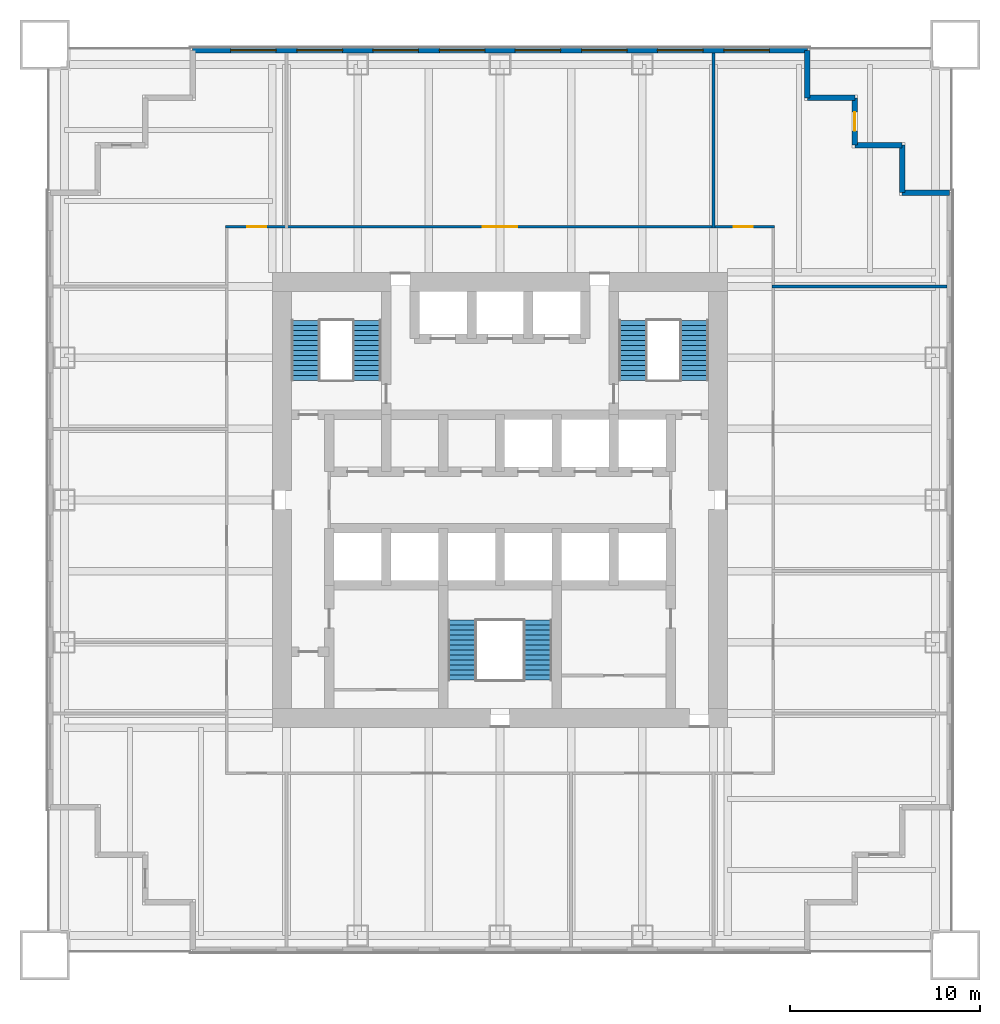
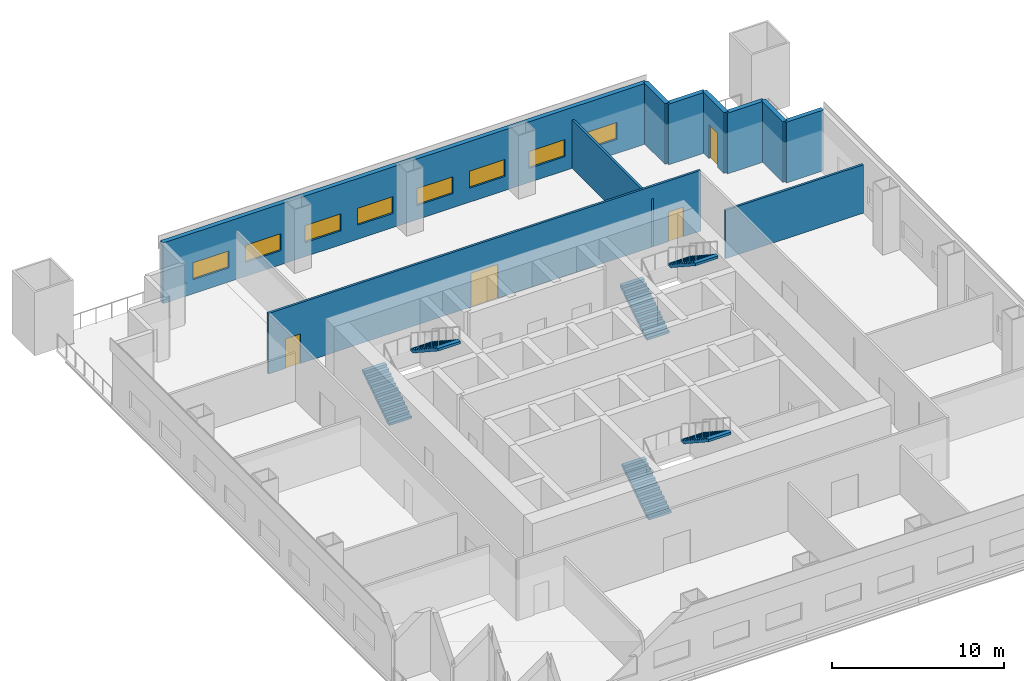
# One storey, part 5 of 6: 10 walls, 8 windows, 6 stair flights, 4 doors, 12 openings, 3 elements without a shape of their own.
"""IFC4 building model written with IfcOpenShell, lengths in metres."""

from ifc_helpers import new_model, si_unit, direction, frame, frame_2d, origin, place, context, subcontext, project, spatial, polyline, rectangle, outline, extrude, material, layer, layer_set, type_object, element, fill, aggregate, save


model = new_model("IFC4")

# Units and contexts
model_context = context("Model", 3, precision=1e-05, world=origin(), true_north=direction((0.0, 1.0)))
body_context = subcontext(model_context, "Body", "Model", "MODEL_VIEW")
ifc_project = project(units=[si_unit("LENGTHUNIT", "METRE"), si_unit("AREAUNIT", "SQUARE_METRE"), si_unit("VOLUMEUNIT", "CUBIC_METRE"), si_unit("PLANEANGLEUNIT", "RADIAN"), si_unit("MASSUNIT", "GRAM", prefix="KILO")], contexts=[model_context])

# Site, building, storey
site_placement = place(None, origin())
site = spatial("IfcSite", under=ifc_project, at=site_placement, CompositionType="ELEMENT")
building_placement = place(site_placement, origin())
building = spatial("IfcBuilding", under=site, at=building_placement, Name="Tarangal Relay Tower", CompositionType="ELEMENT")
storey_placement = place(building_placement, frame((0.0, 0.0, 140.39990234375)))
storey = spatial("IfcBuildingStorey", under=building, at=storey_placement, Name="L28", CompositionType="ELEMENT", Elevation=140.39990234375)

# Wall, openings, windows
ifc_material_1 = material(Name="Insulated precast concrete fc' 40 MPa", Category="concrete")
ifc_layer_1 = layer(ifc_material_1, 0.300048828125)
ifc_layer_set_1 = layer_set([ifc_layer_1], Name="Insulated precast concrete fc' 40 MPa")
wall_type_1 = type_object("IfcWallType", Name="Facade wall precast 300", PredefinedType="SOLIDWALL", material=ifc_layer_set_1)
wall_1_placement = place(storey_placement, frame((-16.199951171875, 23.699951171875, 0.0), z_axis=(0.0, 0.0, 1.0), x_axis=(1.0, 0.0, 0.0)))
wall_1 = element("IfcWall", 1, at=wall_1_placement, inside=storey, type_object=wall_type_1, Name="Facade wall N facade L28", PredefinedType="SOLIDWALL", context=body_context, shape_type="SweptSolid", body=[
    extrude(rectangle(XDim=32.39990234375, YDim=0.300048828125, at=frame_2d((16.199951171875, 0.0))), origin(), (0.0, 0.0, 1.0), 4.300048828125),
])
opening_1_placement = place(wall_1_placement, frame((2.0, 0.0, 1.0)))
opening_1 = element("IfcOpeningElement", 2, at=opening_1_placement, cuts=wall_1, Name="Opening WN1", PredefinedType="OPENING", context=body_context, shape_type="SweptSolid", body=[
    extrude(rectangle(XDim=2.39990234375, YDim=1.199951171875, at=frame_2d((1.199951171875, 0.60009765625))), frame((0.0, 0.159912109375, 0.0), z_axis=(0.0, -1.0, 0.0), x_axis=(1.0, 0.0, 0.0)), (0.0, 0.0, 1.0), 0.320068359375),
])
opening_2_placement = place(wall_1_placement, frame((5.5, 0.0, 1.0)))
opening_2 = element("IfcOpeningElement", 3, at=opening_2_placement, cuts=wall_1, Name="Opening WN1", PredefinedType="OPENING", context=body_context, shape_type="SweptSolid", body=[
    extrude(rectangle(XDim=2.39990234375, YDim=1.199951171875, at=frame_2d((1.199951171875, 0.60009765625))), frame((0.0, 0.159912109375, 0.0), z_axis=(0.0, -1.0, 0.0), x_axis=(1.0, 0.0, 0.0)), (0.0, 0.0, 1.0), 0.320068359375),
])
opening_3_placement = place(wall_1_placement, frame((9.5, 0.0, 1.0)))
opening_3 = element("IfcOpeningElement", 4, at=opening_3_placement, cuts=wall_1, Name="Opening WN1", PredefinedType="OPENING", context=body_context, shape_type="SweptSolid", body=[
    extrude(rectangle(XDim=2.39990234375, YDim=1.199951171875, at=frame_2d((1.199951171875, 0.60009765625))), frame((0.0, 0.159912109375, 0.0), z_axis=(0.0, -1.0, 0.0), x_axis=(1.0, 0.0, 0.0)), (0.0, 0.0, 1.0), 0.320068359375),
])
opening_4_placement = place(wall_1_placement, frame((13.0, 0.0, 1.0)))
opening_4 = element("IfcOpeningElement", 5, at=opening_4_placement, cuts=wall_1, Name="Opening WN1", PredefinedType="OPENING", context=body_context, shape_type="SweptSolid", body=[
    extrude(rectangle(XDim=2.39990234375, YDim=1.199951171875, at=frame_2d((1.199951171875, 0.60009765625))), frame((0.0, 0.159912109375, 0.0), z_axis=(0.0, -1.0, 0.0), x_axis=(1.0, 0.0, 0.0)), (0.0, 0.0, 1.0), 0.320068359375),
])
opening_5_placement = place(wall_1_placement, frame((17.0, 0.0, 1.0)))
opening_5 = element("IfcOpeningElement", 6, at=opening_5_placement, cuts=wall_1, Name="Opening WN1", PredefinedType="OPENING", context=body_context, shape_type="SweptSolid", body=[
    extrude(rectangle(XDim=2.39990234375, YDim=1.199951171875, at=frame_2d((1.199951171875, 0.60009765625))), frame((0.0, 0.159912109375, 0.0), z_axis=(0.0, -1.0, 0.0), x_axis=(1.0, 0.0, 0.0)), (0.0, 0.0, 1.0), 0.320068359375),
])
opening_6_placement = place(wall_1_placement, frame((20.5, 0.0, 1.0)))
opening_6 = element("IfcOpeningElement", 7, at=opening_6_placement, cuts=wall_1, Name="Opening WN1", PredefinedType="OPENING", context=body_context, shape_type="SweptSolid", body=[
    extrude(rectangle(XDim=2.39990234375, YDim=1.199951171875, at=frame_2d((1.199951171875, 0.60009765625))), frame((0.0, 0.159912109375, 0.0), z_axis=(0.0, -1.0, 0.0), x_axis=(1.0, 0.0, 0.0)), (0.0, 0.0, 1.0), 0.320068359375),
])
opening_7_placement = place(wall_1_placement, frame((24.5, 0.0, 1.0)))
opening_7 = element("IfcOpeningElement", 8, at=opening_7_placement, cuts=wall_1, Name="Opening WN1", PredefinedType="OPENING", context=body_context, shape_type="SweptSolid", body=[
    extrude(rectangle(XDim=2.39990234375, YDim=1.199951171875, at=frame_2d((1.199951171875, 0.60009765625))), frame((0.0, 0.159912109375, 0.0), z_axis=(0.0, -1.0, 0.0), x_axis=(1.0, 0.0, 0.0)), (0.0, 0.0, 1.0), 0.320068359375),
])
opening_8_placement = place(wall_1_placement, frame((28.0, 0.0, 1.0)))
opening_8 = element("IfcOpeningElement", 9, at=opening_8_placement, cuts=wall_1, Name="Opening WN1", PredefinedType="OPENING", context=body_context, shape_type="SweptSolid", body=[
    extrude(rectangle(XDim=2.39990234375, YDim=1.199951171875, at=frame_2d((1.199951171875, 0.60009765625))), frame((0.0, 0.159912109375, 0.0), z_axis=(0.0, -1.0, 0.0), x_axis=(1.0, 0.0, 0.0)), (0.0, 0.0, 1.0), 0.320068359375),
])
ifc_material_2 = material(Name="Dark tinted double glazing in black aluminium frame", Category="aluminium")
window_type = type_object("IfcWindowType", Name="Ribbon window 2400 x 1200", PartitioningType="SINGLE_PANEL", PredefinedType="WINDOW", material=ifc_material_2)
window_1_placement = place(opening_1_placement, origin())
window_1 = element("IfcWindow", 10, at=window_1_placement, inside=storey, type_object=window_type, Name="Ribbon window WN1 N facade L28", OverallHeight=1.199951171875, OverallWidth=2.39990234375, PartitioningType="SINGLE_PANEL", PredefinedType="WINDOW", context=body_context, shape_type="SweptSolid", body=[
    extrude(rectangle(XDim=2.39990234375, YDim=1.199951171875, at=frame_2d((1.199951171875, 0.60009765625))), frame((0.0, 0.030029296875, 0.0), z_axis=(0.0, -1.0, 0.0), x_axis=(1.0, 0.0, 0.0)), (0.0, 0.0, 1.0), 0.06005859375),
])
fill(opening_1, window_1)
window_2_placement = place(opening_2_placement, origin())
window_2 = element("IfcWindow", 11, at=window_2_placement, inside=storey, type_object=window_type, Name="Ribbon window WN1 N facade L28", OverallHeight=1.199951171875, OverallWidth=2.39990234375, PartitioningType="SINGLE_PANEL", PredefinedType="WINDOW", context=body_context, shape_type="SweptSolid", body=[
    extrude(rectangle(XDim=2.39990234375, YDim=1.199951171875, at=frame_2d((1.199951171875, 0.60009765625))), frame((0.0, 0.030029296875, 0.0), z_axis=(0.0, -1.0, 0.0), x_axis=(1.0, 0.0, 0.0)), (0.0, 0.0, 1.0), 0.06005859375),
])
fill(opening_2, window_2)
window_3_placement = place(opening_3_placement, origin())
window_3 = element("IfcWindow", 12, at=window_3_placement, inside=storey, type_object=window_type, Name="Ribbon window WN1 N facade L28", OverallHeight=1.199951171875, OverallWidth=2.39990234375, PartitioningType="SINGLE_PANEL", PredefinedType="WINDOW", context=body_context, shape_type="SweptSolid", body=[
    extrude(rectangle(XDim=2.39990234375, YDim=1.199951171875, at=frame_2d((1.199951171875, 0.60009765625))), frame((0.0, 0.030029296875, 0.0), z_axis=(0.0, -1.0, 0.0), x_axis=(1.0, 0.0, 0.0)), (0.0, 0.0, 1.0), 0.06005859375),
])
fill(opening_3, window_3)
window_4_placement = place(opening_4_placement, origin())
window_4 = element("IfcWindow", 13, at=window_4_placement, inside=storey, type_object=window_type, Name="Ribbon window WN1 N facade L28", OverallHeight=1.199951171875, OverallWidth=2.39990234375, PartitioningType="SINGLE_PANEL", PredefinedType="WINDOW", context=body_context, shape_type="SweptSolid", body=[
    extrude(rectangle(XDim=2.39990234375, YDim=1.199951171875, at=frame_2d((1.199951171875, 0.60009765625))), frame((0.0, 0.030029296875, 0.0), z_axis=(0.0, -1.0, 0.0), x_axis=(1.0, 0.0, 0.0)), (0.0, 0.0, 1.0), 0.06005859375),
])
fill(opening_4, window_4)
window_5_placement = place(opening_5_placement, origin())
window_5 = element("IfcWindow", 14, at=window_5_placement, inside=storey, type_object=window_type, Name="Ribbon window WN1 N facade L28", OverallHeight=1.199951171875, OverallWidth=2.39990234375, PartitioningType="SINGLE_PANEL", PredefinedType="WINDOW", context=body_context, shape_type="SweptSolid", body=[
    extrude(rectangle(XDim=2.39990234375, YDim=1.199951171875, at=frame_2d((1.199951171875, 0.60009765625))), frame((0.0, 0.030029296875, 0.0), z_axis=(0.0, -1.0, 0.0), x_axis=(1.0, 0.0, 0.0)), (0.0, 0.0, 1.0), 0.06005859375),
])
fill(opening_5, window_5)
window_6_placement = place(opening_6_placement, origin())
window_6 = element("IfcWindow", 15, at=window_6_placement, inside=storey, type_object=window_type, Name="Ribbon window WN1 N facade L28", OverallHeight=1.199951171875, OverallWidth=2.39990234375, PartitioningType="SINGLE_PANEL", PredefinedType="WINDOW", context=body_context, shape_type="SweptSolid", body=[
    extrude(rectangle(XDim=2.39990234375, YDim=1.199951171875, at=frame_2d((1.199951171875, 0.60009765625))), frame((0.0, 0.030029296875, 0.0), z_axis=(0.0, -1.0, 0.0), x_axis=(1.0, 0.0, 0.0)), (0.0, 0.0, 1.0), 0.06005859375),
])
fill(opening_6, window_6)
window_7_placement = place(opening_7_placement, origin())
window_7 = element("IfcWindow", 16, at=window_7_placement, inside=storey, type_object=window_type, Name="Ribbon window WN1 N facade L28", OverallHeight=1.199951171875, OverallWidth=2.39990234375, PartitioningType="SINGLE_PANEL", PredefinedType="WINDOW", context=body_context, shape_type="SweptSolid", body=[
    extrude(rectangle(XDim=2.39990234375, YDim=1.199951171875, at=frame_2d((1.199951171875, 0.60009765625))), frame((0.0, 0.030029296875, 0.0), z_axis=(0.0, -1.0, 0.0), x_axis=(1.0, 0.0, 0.0)), (0.0, 0.0, 1.0), 0.06005859375),
])
fill(opening_7, window_7)
window_8_placement = place(opening_8_placement, origin())
window_8 = element("IfcWindow", 17, at=window_8_placement, inside=storey, type_object=window_type, Name="Ribbon window WN1 N facade L28", OverallHeight=1.199951171875, OverallWidth=2.39990234375, PartitioningType="SINGLE_PANEL", PredefinedType="WINDOW", context=body_context, shape_type="SweptSolid", body=[
    extrude(rectangle(XDim=2.39990234375, YDim=1.199951171875, at=frame_2d((1.199951171875, 0.60009765625))), frame((0.0, 0.030029296875, 0.0), z_axis=(0.0, -1.0, 0.0), x_axis=(1.0, 0.0, 0.0)), (0.0, 0.0, 1.0), 0.06005859375),
])
fill(opening_8, window_8)

# Walls
for number, where, z_axis, x_axis, name in (
    (18, (16.199951171875, 23.699951171875, 0.0), (0.0, 0.0, 1.0), (0.0, -1.0, 0.0), "Facade wall N facade L28"),
    (19, (16.199951171875, 21.199951171875, 0.0), (0.0, 0.0, 1.0), (1.0, 0.0, 0.0), "Facade wall N facade L28"),
):
    element("IfcWall", number, at=place(storey_placement, frame(where, z_axis=z_axis, x_axis=x_axis)), inside=storey, type_object=wall_type_1, Name=name, PredefinedType="SOLIDWALL", context=body_context, shape_type="SweptSolid", body=[
        extrude(rectangle(XDim=2.5, YDim=0.300048828125, at=frame_2d((1.25, 0.0))), origin(), (0.0, 0.0, 1.0), 4.300048828125),
    ])

# Wall, opening, door
wall_2_placement = place(storey_placement, frame((18.699951171875, 21.199951171875, 0.0), z_axis=(0.0, 0.0, 1.0), x_axis=(0.0, -1.0, 0.0)))
wall_2 = element("IfcWall", 20, at=wall_2_placement, inside=storey, type_object=wall_type_1, Name="Facade wall N facade L28", PredefinedType="SOLIDWALL", context=body_context, shape_type="SweptSolid", body=[
    extrude(rectangle(XDim=2.5, YDim=0.300048828125, at=frame_2d((1.25, 0.0))), origin(), (0.0, 0.0, 1.0), 4.300048828125),
])
opening_9_placement = place(wall_2_placement, frame((0.75, 0.0, 0.0)))
opening_9 = element("IfcOpeningElement", 21, at=opening_9_placement, cuts=wall_2, Name="Opening TD1", PredefinedType="OPENING", context=body_context, shape_type="SweptSolid", body=[
    extrude(rectangle(XDim=1.0, YDim=2.39990234375, at=frame_2d((0.5, 1.199951171875))), frame((0.0, 0.159912109375, 0.0), z_axis=(0.0, -1.0, 0.0), x_axis=(1.0, 0.0, 0.0)), (0.0, 0.0, 1.0), 0.320068359375),
])
ifc_material_3 = material(Name="Aluminium glazed door", Category="aluminium")
door_type_1 = type_object("IfcDoorType", Name="Terrace door 1000 x 2400", OperationType="SINGLE_SWING_RIGHT", PredefinedType="DOOR", material=ifc_material_3)
door_1_placement = place(opening_9_placement, origin())
door_1 = element("IfcDoor", 22, at=door_1_placement, inside=storey, type_object=door_type_1, Name="Terrace door TD1 NE L28", OperationType="SINGLE_SWING_RIGHT", OverallHeight=2.39990234375, OverallWidth=1.0, PredefinedType="DOOR", context=body_context, shape_type="SweptSolid", body=[
    extrude(rectangle(XDim=1.0, YDim=2.39990234375, at=frame_2d((0.5, 1.199951171875))), frame((0.0, 0.02490234375, 0.0), z_axis=(0.0, -1.0, 0.0), x_axis=(1.0, 0.0, 0.0)), (0.0, 0.0, 1.0), 0.050048828125),
])
fill(opening_9, door_1)

# Walls
for number, where, z_axis, x_axis, name in (
    (23, (18.699951171875, 18.699951171875, 0.0), (0.0, 0.0, 1.0), (1.0, 0.0, 0.0), "Facade wall N facade L28"),
    (24, (21.199951171875, 18.699951171875, 0.0), (0.0, 0.0, 1.0), (0.0, -1.0, 0.0), "Facade wall N facade L28"),
    (25, (21.199951171875, 16.199951171875, 0.0), (0.0, 0.0, 1.0), (1.0, 0.0, 0.0), "Facade wall N facade L28"),
):
    element("IfcWall", number, at=place(storey_placement, frame(where, z_axis=z_axis, x_axis=x_axis)), inside=storey, type_object=wall_type_1, Name=name, PredefinedType="SOLIDWALL", context=body_context, shape_type="SweptSolid", body=[
        extrude(rectangle(XDim=2.5, YDim=0.300048828125, at=frame_2d((1.25, 0.0))), origin(), (0.0, 0.0, 1.0), 4.300048828125),
    ])
ifc_material_4 = material(Name="Gypsum board on steel studs", Category="steel")
ifc_layer_2 = layer(ifc_material_4, 0.14990234375)
ifc_layer_set_2 = layer_set([ifc_layer_2], Name="Partition 150")
wall_type_2 = type_object("IfcWallType", Name="Partition 150", PredefinedType="PARTITIONING", material=ifc_layer_set_2)
wall_3_placement = place(storey_placement, frame((14.324951171875, 11.25, 0.0), z_axis=(0.0, 0.0, 1.0), x_axis=(1.0, 0.0, 0.0)))
element("IfcWall", 26, at=wall_3_placement, inside=storey, type_object=wall_type_2, Name="Partition PT1 L28", PredefinedType="PARTITIONING", context=body_context, shape_type="SweptSolid", body=[
    extrude(rectangle(XDim=9.22509765625, YDim=0.14990234375, at=frame_2d((4.612548828125, 0.0))), origin(), (0.0, 0.0, 1.0), 3.431396484375),
])

# Wall, openings, doors
wall_4_placement = place(storey_placement, frame((-14.47509765625, 14.39990234375, 0.0), z_axis=(0.0, 0.0, 1.0), x_axis=(1.0, 0.0, 0.0)))
wall_4 = element("IfcWall", 27, at=wall_4_placement, inside=storey, type_object=wall_type_2, Name="Partition PT1 L28", PredefinedType="PARTITIONING", context=body_context, shape_type="SweptSolid", body=[
    extrude(rectangle(XDim=28.9501953125, YDim=0.14990234375, at=frame_2d((14.47509765625, 0.0))), origin(), (0.0, 0.0, 1.0), 4.300048828125),
])
opening_10_placement = place(wall_4_placement, frame((13.574951171875, 0.0, 0.0)))
opening_10 = element("IfcOpeningElement", 28, at=opening_10_placement, cuts=wall_4, Name="Opening DD1", PredefinedType="OPENING", context=body_context, shape_type="SweptSolid", body=[
    extrude(rectangle(XDim=1.800048828125, YDim=2.39990234375, at=frame_2d((0.89990234375, 1.199951171875))), frame((0.0, 0.0849609375, 0.0), z_axis=(0.0, -1.0, 0.0), x_axis=(1.0, 0.0, 0.0)), (0.0, 0.0, 1.0), 0.169921875),
])
opening_11_placement = place(wall_4_placement, frame((26.800048828125, 0.0, 0.0)))
opening_11 = element("IfcOpeningElement", 29, at=opening_11_placement, cuts=wall_4, Name="Opening D2", PredefinedType="OPENING", context=body_context, shape_type="SweptSolid", body=[
    extrude(rectangle(XDim=1.0, YDim=2.10009765625, at=frame_2d((0.5, 1.050048828125))), frame((0.0, 0.0849609375, 0.0), z_axis=(0.0, -1.0, 0.0), x_axis=(1.0, 0.0, 0.0)), (0.0, 0.0, 1.0), 0.169921875),
])
opening_12_placement = place(wall_4_placement, frame((1.14990234375, 0.0, 0.0)))
opening_12 = element("IfcOpeningElement", 30, at=opening_12_placement, cuts=wall_4, Name="Opening D2", PredefinedType="OPENING", context=body_context, shape_type="SweptSolid", body=[
    extrude(rectangle(XDim=1.0, YDim=2.10009765625, at=frame_2d((0.5, 1.050048828125))), frame((0.0, 0.0849609375, 0.0), z_axis=(0.0, -1.0, 0.0), x_axis=(1.0, 0.0, 0.0)), (0.0, 0.0, 1.0), 0.169921875),
])
ifc_material_5 = material(Name="Hardwood door", Category="wood")
door_type_2 = type_object("IfcDoorType", Name="Door 1000 x 2100", OperationType="SINGLE_SWING_LEFT", PredefinedType="DOOR", material=ifc_material_5)
door_2_placement = place(opening_11_placement, origin())
door_2 = element("IfcDoor", 31, at=door_2_placement, inside=storey, type_object=door_type_2, Name="Door D2 to test lab L28-10", OperationType="SINGLE_SWING_LEFT", OverallHeight=2.10009765625, OverallWidth=1.0, PredefinedType="DOOR", context=body_context, shape_type="SweptSolid", body=[
    extrude(rectangle(XDim=1.0, YDim=2.10009765625, at=frame_2d((0.5, 1.050048828125))), frame((0.0, 0.02490234375, 0.0), z_axis=(0.0, -1.0, 0.0), x_axis=(1.0, 0.0, 0.0)), (0.0, 0.0, 1.0), 0.050048828125),
])
fill(opening_11, door_2)
door_3_placement = place(opening_12_placement, origin())
door_3 = element("IfcDoor", 32, at=door_3_placement, inside=storey, type_object=door_type_2, Name="Door D2 to rack staging room L28-13", OperationType="SINGLE_SWING_LEFT", OverallHeight=2.10009765625, OverallWidth=1.0, PredefinedType="DOOR", context=body_context, shape_type="SweptSolid", body=[
    extrude(rectangle(XDim=1.0, YDim=2.10009765625, at=frame_2d((0.5, 1.050048828125))), frame((0.0, 0.02490234375, 0.0), z_axis=(0.0, -1.0, 0.0), x_axis=(1.0, 0.0, 0.0)), (0.0, 0.0, 1.0), 0.050048828125),
])
fill(opening_12, door_3)
ifc_material_6 = material(Name="Steel door with hardwood frame", Category="steel")
door_type_3 = type_object("IfcDoorType", Name="Equipment double door 1800 x 2400", OperationType="DOUBLE_DOOR_SINGLE_SWING", PredefinedType="DOOR", material=ifc_material_6)
door_4_placement = place(opening_10_placement, origin())
door_4 = element("IfcDoor", 33, at=door_4_placement, inside=storey, type_object=door_type_3, Name="Door DD1 to telecom equipment room L28-02", OperationType="DOUBLE_DOOR_SINGLE_SWING", OverallHeight=2.39990234375, OverallWidth=1.800048828125, PredefinedType="DOOR", context=body_context, shape_type="SweptSolid", body=[
    extrude(rectangle(XDim=1.800048828125, YDim=2.39990234375, at=frame_2d((0.89990234375, 1.199951171875))), frame((0.0, 0.02490234375, 0.0), z_axis=(0.0, -1.0, 0.0), x_axis=(1.0, 0.0, 0.0)), (0.0, 0.0, 1.0), 0.050048828125),
])
fill(opening_10, door_4)

# Wall
wall_5_placement = place(storey_placement, frame((11.25, 14.324951171875, 0.0), z_axis=(0.0, 0.0, 1.0), x_axis=(0.0, 1.0, 0.0)))
element("IfcWall", 34, at=wall_5_placement, inside=storey, type_object=wall_type_2, Name="Partition PT1 L28", PredefinedType="PARTITIONING", context=body_context, shape_type="SweptSolid", body=[
    extrude(rectangle(XDim=9.22509765625, YDim=0.14990234375, at=frame_2d((4.612548828125, 0.0))), origin(), (0.0, 0.0, 1.0), 3.431396484375),
])

# Stair, stair flights
ifc_material_7 = material(Name="Steel ASTM A992 stair flight", Category="steel")
stair_type = type_object("IfcStairType", Name="Core stair 1500", PredefinedType="HALF_TURN_STAIR", material=ifc_material_7)
stair_1_placement = place(storey_placement, origin())
stair_1 = element("IfcStair", 35, at=stair_1_placement, inside=storey, type_object=stair_type, Name="Stair ST-A L28", PredefinedType="HALF_TURN_STAIR")
stair_flight_type = type_object("IfcStairFlightType", Name="Steel stair flight 1500, 13 risers 173 x 264", PredefinedType="STRAIGHT", material=ifc_material_7)
stair_flight_1_placement = place(storey_placement, frame((-10.25, 6.300048828125, 0.0), z_axis=(0.0, 0.0, 1.0), x_axis=(0.0, 1.0, 0.0)))
stair_flight_1 = element("IfcStairFlight", 36, at=stair_flight_1_placement, type_object=stair_flight_type, Name="ST-A flight 1", NumberOfRisers=13, NumberOfTreads=12, PredefinedType="STRAIGHT", RiserHeight=0.173076923, TreadLength=0.264, context=body_context, shape_type="SweptSolid", body=[
    extrude(outline(polyline([(0.0, 0.0), (0.0, 0.173095703125), (0.263916015625, 0.173095703125), (0.263916015625, 0.34619140625), (0.528076171875, 0.34619140625), (0.528076171875, 0.519287109375), (0.7919921875, 0.519287109375), (0.7919921875, 0.6923828125), (1.055908203125, 0.6923828125), (1.055908203125, 0.865478515625), (1.320068359375, 0.865478515625), (1.320068359375, 1.03857421875), (1.583984375, 1.03857421875), (1.583984375, 1.21142578125), (1.847900390625, 1.21142578125), (1.847900390625, 1.384521484375), (2.112060546875, 1.384521484375), (2.112060546875, 1.5576171875), (2.3759765625, 1.5576171875), (2.3759765625, 1.730712890625), (2.639892578125, 1.730712890625), (2.639892578125, 1.90380859375), (2.904052734375, 1.90380859375), (2.904052734375, 2.076904296875), (3.16796875, 2.076904296875), (3.16796875, 2.25), (3.16796875, 1.897705078125), (0.2734375, 0.0), (0.0, 0.0)])), frame((0.0, 0.75, 0.0), z_axis=(0.0, -1.0, 0.0), x_axis=(1.0, 0.0, 0.0)), (0.0, 0.0, 1.0), 1.5),
])
stair_flight_2_placement = place(storey_placement, frame((-7.0, 9.468017578125, 2.25), z_axis=(0.0, 0.0, 1.0), x_axis=(0.0, -1.0, 0.0)))
stair_flight_2 = element("IfcStairFlight", 37, at=stair_flight_2_placement, type_object=stair_flight_type, Name="ST-A flight 2", NumberOfRisers=13, NumberOfTreads=12, PredefinedType="STRAIGHT", RiserHeight=0.173076923, TreadLength=0.264, context=body_context, shape_type="SweptSolid", body=[
    extrude(outline(polyline([(0.0, 0.0), (0.0, 0.173095703125), (0.263916015625, 0.173095703125), (0.263916015625, 0.34619140625), (0.528076171875, 0.34619140625), (0.528076171875, 0.519287109375), (0.7919921875, 0.519287109375), (0.7919921875, 0.6923828125), (1.055908203125, 0.6923828125), (1.055908203125, 0.865478515625), (1.320068359375, 0.865478515625), (1.320068359375, 1.03857421875), (1.583984375, 1.03857421875), (1.583984375, 1.21142578125), (1.847900390625, 1.21142578125), (1.847900390625, 1.384521484375), (2.112060546875, 1.384521484375), (2.112060546875, 1.5576171875), (2.3759765625, 1.5576171875), (2.3759765625, 1.730712890625), (2.639892578125, 1.730712890625), (2.639892578125, 1.90380859375), (2.904052734375, 1.90380859375), (2.904052734375, 2.076904296875), (3.16796875, 2.076904296875), (3.16796875, 2.25), (3.16796875, 1.897705078125), (0.2734375, 0.0), (0.0, 0.0)])), frame((0.0, 0.75, 0.0), z_axis=(0.0, -1.0, 0.0), x_axis=(1.0, 0.0, 0.0)), (0.0, 0.0, 1.0), 1.5),
])
aggregate(stair_1, [stair_flight_1, stair_flight_2])

stair_2_placement = place(storey_placement, origin())
stair_2 = element("IfcStair", 38, at=stair_2_placement, inside=storey, type_object=stair_type, Name="Stair ST-B L28", PredefinedType="HALF_TURN_STAIR")
stair_flight_3_placement = place(storey_placement, frame((7.0, 6.300048828125, 0.0), z_axis=(0.0, 0.0, 1.0), x_axis=(0.0, 1.0, 0.0)))
stair_flight_3 = element("IfcStairFlight", 39, at=stair_flight_3_placement, type_object=stair_flight_type, Name="ST-B flight 1", NumberOfRisers=13, NumberOfTreads=12, PredefinedType="STRAIGHT", RiserHeight=0.173076923, TreadLength=0.264, context=body_context, shape_type="SweptSolid", body=[
    extrude(outline(polyline([(0.0, 0.0), (0.0, 0.173095703125), (0.263916015625, 0.173095703125), (0.263916015625, 0.34619140625), (0.528076171875, 0.34619140625), (0.528076171875, 0.519287109375), (0.7919921875, 0.519287109375), (0.7919921875, 0.6923828125), (1.055908203125, 0.6923828125), (1.055908203125, 0.865478515625), (1.320068359375, 0.865478515625), (1.320068359375, 1.03857421875), (1.583984375, 1.03857421875), (1.583984375, 1.21142578125), (1.847900390625, 1.21142578125), (1.847900390625, 1.384521484375), (2.112060546875, 1.384521484375), (2.112060546875, 1.5576171875), (2.3759765625, 1.5576171875), (2.3759765625, 1.730712890625), (2.639892578125, 1.730712890625), (2.639892578125, 1.90380859375), (2.904052734375, 1.90380859375), (2.904052734375, 2.076904296875), (3.16796875, 2.076904296875), (3.16796875, 2.25), (3.16796875, 1.897705078125), (0.2734375, 0.0), (0.0, 0.0)])), frame((0.0, 0.75, 0.0), z_axis=(0.0, -1.0, 0.0), x_axis=(1.0, 0.0, 0.0)), (0.0, 0.0, 1.0), 1.5),
])
stair_flight_4_placement = place(storey_placement, frame((10.25, 9.468017578125, 2.25), z_axis=(0.0, 0.0, 1.0), x_axis=(0.0, -1.0, 0.0)))
stair_flight_4 = element("IfcStairFlight", 40, at=stair_flight_4_placement, type_object=stair_flight_type, Name="ST-B flight 2", NumberOfRisers=13, NumberOfTreads=12, PredefinedType="STRAIGHT", RiserHeight=0.173076923, TreadLength=0.264, context=body_context, shape_type="SweptSolid", body=[
    extrude(outline(polyline([(0.0, 0.0), (0.0, 0.173095703125), (0.263916015625, 0.173095703125), (0.263916015625, 0.34619140625), (0.528076171875, 0.34619140625), (0.528076171875, 0.519287109375), (0.7919921875, 0.519287109375), (0.7919921875, 0.6923828125), (1.055908203125, 0.6923828125), (1.055908203125, 0.865478515625), (1.320068359375, 0.865478515625), (1.320068359375, 1.03857421875), (1.583984375, 1.03857421875), (1.583984375, 1.21142578125), (1.847900390625, 1.21142578125), (1.847900390625, 1.384521484375), (2.112060546875, 1.384521484375), (2.112060546875, 1.5576171875), (2.3759765625, 1.5576171875), (2.3759765625, 1.730712890625), (2.639892578125, 1.730712890625), (2.639892578125, 1.90380859375), (2.904052734375, 1.90380859375), (2.904052734375, 2.076904296875), (3.16796875, 2.076904296875), (3.16796875, 2.25), (3.16796875, 1.897705078125), (0.2734375, 0.0), (0.0, 0.0)])), frame((0.0, 0.75, 0.0), z_axis=(0.0, -1.0, 0.0), x_axis=(1.0, 0.0, 0.0)), (0.0, 0.0, 1.0), 1.5),
])
aggregate(stair_2, [stair_flight_3, stair_flight_4])

stair_3_placement = place(storey_placement, origin())
stair_3 = element("IfcStair", 41, at=stair_3_placement, inside=storey, type_object=stair_type, Name="Stair ST-C L28", PredefinedType="HALF_TURN_STAIR")
stair_flight_5_placement = place(storey_placement, frame((-2.0, -9.5, 0.0), z_axis=(0.0, 0.0, 1.0), x_axis=(0.0, 1.0, 0.0)))
stair_flight_5 = element("IfcStairFlight", 42, at=stair_flight_5_placement, type_object=stair_flight_type, Name="ST-C flight 1", NumberOfRisers=13, NumberOfTreads=12, PredefinedType="STRAIGHT", RiserHeight=0.173076923, TreadLength=0.264, context=body_context, shape_type="SweptSolid", body=[
    extrude(outline(polyline([(0.0, 0.0), (0.0, 0.173095703125), (0.263916015625, 0.173095703125), (0.263916015625, 0.34619140625), (0.528076171875, 0.34619140625), (0.528076171875, 0.519287109375), (0.7919921875, 0.519287109375), (0.7919921875, 0.6923828125), (1.055908203125, 0.6923828125), (1.055908203125, 0.865478515625), (1.320068359375, 0.865478515625), (1.320068359375, 1.03857421875), (1.583984375, 1.03857421875), (1.583984375, 1.21142578125), (1.847900390625, 1.21142578125), (1.847900390625, 1.384521484375), (2.112060546875, 1.384521484375), (2.112060546875, 1.5576171875), (2.3759765625, 1.5576171875), (2.3759765625, 1.730712890625), (2.639892578125, 1.730712890625), (2.639892578125, 1.90380859375), (2.904052734375, 1.90380859375), (2.904052734375, 2.076904296875), (3.16796875, 2.076904296875), (3.16796875, 2.25), (3.16796875, 1.897705078125), (0.2734375, 0.0), (0.0, 0.0)])), frame((0.0, 0.75, 0.0), z_axis=(0.0, -1.0, 0.0), x_axis=(1.0, 0.0, 0.0)), (0.0, 0.0, 1.0), 1.5),
])
stair_flight_6_placement = place(storey_placement, frame((2.0, -6.33203125, 2.25), z_axis=(0.0, 0.0, 1.0), x_axis=(0.0, -1.0, 0.0)))
stair_flight_6 = element("IfcStairFlight", 43, at=stair_flight_6_placement, type_object=stair_flight_type, Name="ST-C flight 2", NumberOfRisers=13, NumberOfTreads=12, PredefinedType="STRAIGHT", RiserHeight=0.173076923, TreadLength=0.264, context=body_context, shape_type="SweptSolid", body=[
    extrude(outline(polyline([(0.0, 0.0), (0.0, 0.173095703125), (0.263916015625, 0.173095703125), (0.263916015625, 0.34619140625), (0.528076171875, 0.34619140625), (0.528076171875, 0.519287109375), (0.7919921875, 0.519287109375), (0.7919921875, 0.6923828125), (1.055908203125, 0.6923828125), (1.055908203125, 0.865478515625), (1.320068359375, 0.865478515625), (1.320068359375, 1.03857421875), (1.583984375, 1.03857421875), (1.583984375, 1.21142578125), (1.847900390625, 1.21142578125), (1.847900390625, 1.384521484375), (2.112060546875, 1.384521484375), (2.112060546875, 1.5576171875), (2.3759765625, 1.5576171875), (2.3759765625, 1.730712890625), (2.639892578125, 1.730712890625), (2.639892578125, 1.90380859375), (2.904052734375, 1.90380859375), (2.904052734375, 2.076904296875), (3.16796875, 2.076904296875), (3.16796875, 2.25), (3.16796875, 1.897705078125), (0.2734375, 0.0), (0.0, 0.0)])), frame((0.0, 0.75, 0.0), z_axis=(0.0, -1.0, 0.0), x_axis=(1.0, 0.0, 0.0)), (0.0, 0.0, 1.0), 1.5),
])
aggregate(stair_3, [stair_flight_5, stair_flight_6])

save(model, "model.ifc")
